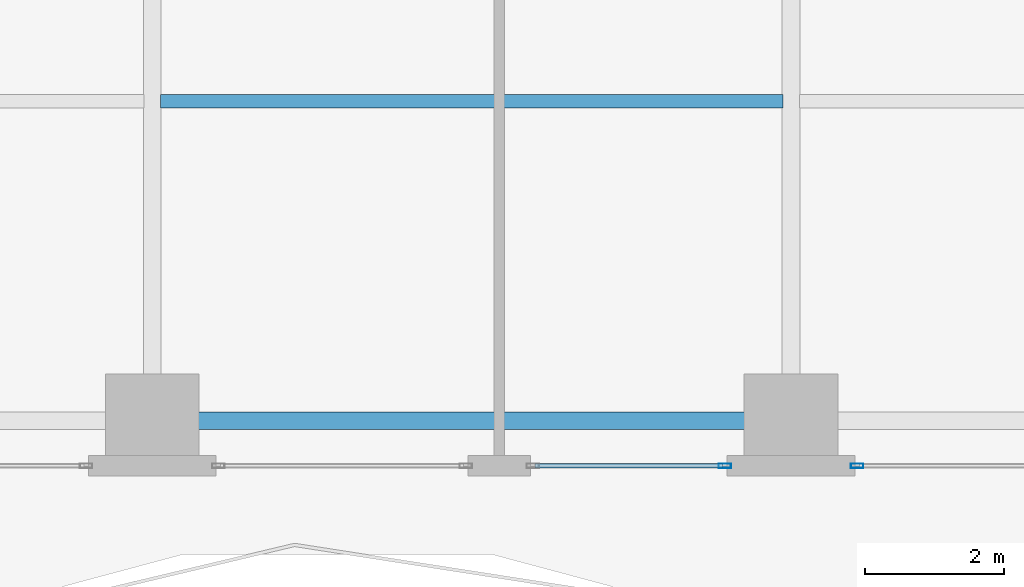
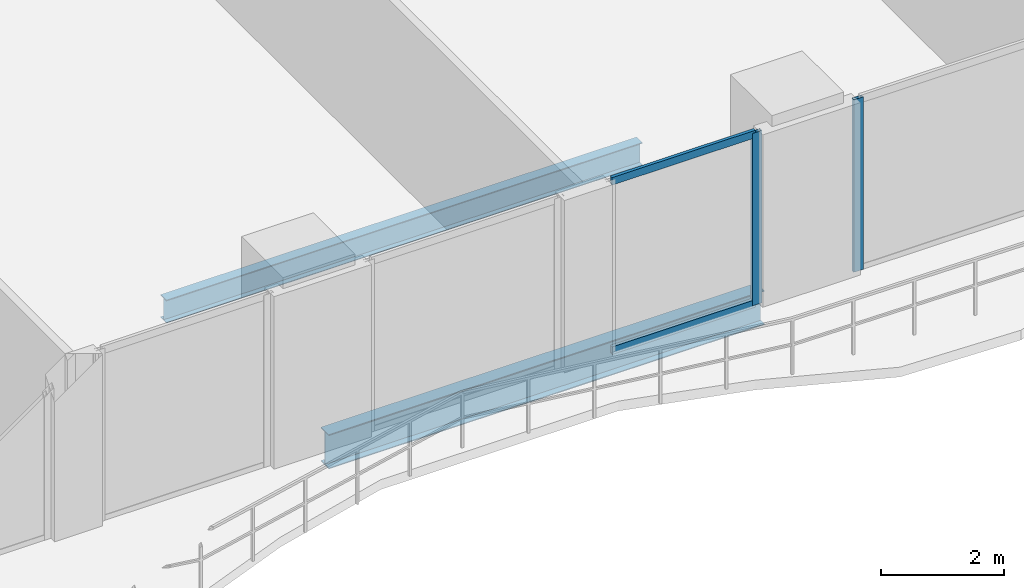
# One storey, part 5 of 27: 4 members, 2 beams, 2 elements without a shape of their own.
"""IFC4 building model written with IfcOpenShell, lengths in metres."""

from ifc_helpers import new_model, si_unit, direction, frame, origin, origin_2d, place, context, subcontext, project, spatial, hollow_rectangle, i_section, extrude, material, layer, layer_set, material_profile, profile_set, type_object, element, aggregate, save


model = new_model("IFC4")

# Units and contexts
model_context = context("Model", 3, precision=1e-05, world=origin(), true_north=direction((0.0, 1.0)))
body_context = subcontext(model_context, "Body", "Model", "MODEL_VIEW")
ifc_project = project(units=[si_unit("LENGTHUNIT", "METRE"), si_unit("AREAUNIT", "SQUARE_METRE"), si_unit("VOLUMEUNIT", "CUBIC_METRE"), si_unit("PLANEANGLEUNIT", "RADIAN"), si_unit("MASSUNIT", "GRAM", prefix="KILO")], contexts=[model_context])

# Site, building, storey
site_placement = place(None, origin())
site = spatial("IfcSite", under=ifc_project, at=site_placement, CompositionType="ELEMENT")
building_placement = place(site_placement, origin())
building = spatial("IfcBuilding", under=site, at=building_placement, Name="Zuhayl Quay Hotel", CompositionType="ELEMENT")
storey_placement = place(building_placement, frame((0.0, 0.0, 117.550048828125)))
storey = spatial("IfcBuildingStorey", under=building, at=storey_placement, Name="L29", CompositionType="ELEMENT", Elevation=117.550048828125)

# Beams
ifc_material_1 = material(Name="Steel ASTM A992 Grade 50", Category="steel")
ifc_material_profile_1 = material_profile(ifc_material_1, i_section(OverallWidth=0.25390625, OverallDepth=0.68310546875, WebThickness=0.012451171875, FlangeThickness=0.018798828125, at=origin_2d()), Name="W27X94")
ifc_profile_set_1 = profile_set([ifc_material_profile_1], Name="Steel ASTM A992 Grade 50")
beam_type_1 = type_object("IfcBeamType", Name="BM_B2_W27X94", PredefinedType="BEAM", material=ifc_profile_set_1)
beam_1_placement = place(storey_placement, frame((-4.10009765625, -14.75, -0.5615234375), z_axis=(1.0, 0.0, 0.0), x_axis=(0.0, 1.0, 0.0)))
element("IfcBeam", 1, at=beam_1_placement, inside=storey, type_object=beam_type_1, Name="L29 Floor Beam RG_L29_02", PredefinedType="BEAM", context=body_context, shape_type="SweptSolid", body=[
    extrude(i_section(OverallWidth=0.25390625, OverallDepth=0.68310546875, WebThickness=0.012451171875, FlangeThickness=0.018798828125, at=origin_2d()), origin(), (0.0, 0.0, 1.0), 8.2001953125),
])
ifc_material_profile_2 = material_profile(ifc_material_1, i_section(OverallWidth=0.18994140625, OverallDepth=0.45703125, WebThickness=0.009033203125, FlangeThickness=0.014404296875, at=origin_2d()), Name="W18X50")
ifc_profile_set_2 = profile_set([ifc_material_profile_2], Name="Steel ASTM A992 Grade 50")
beam_type_2 = type_object("IfcBeamType", Name="BM_J2_W18X50", PredefinedType="JOIST", material=ifc_profile_set_2)
beam_2_placement = place(storey_placement, frame((-4.48095703125, -10.14990234375, -0.448486328125), z_axis=(1.0, 0.0, 0.0), x_axis=(0.0, 1.0, 0.0)))
element("IfcBeam", 2, at=beam_2_placement, inside=storey, type_object=beam_type_2, Name="L29 Floor Beam FJ_L29_5_2", PredefinedType="JOIST", context=body_context, shape_type="SweptSolid", body=[
    extrude(i_section(OverallWidth=0.18994140625, OverallDepth=0.45703125, WebThickness=0.009033203125, FlangeThickness=0.014404296875, at=origin_2d()), origin(), (0.0, 0.0, 1.0), 8.9619140625),
])

# Curtain wall, member
ifc_material_2 = material(Name="Anodised Aluminium 6063-T6", Category="aluminium")
ifc_layer = layer(ifc_material_2, 0.179931640625, Name="Anodised Aluminium 6063-T6", Category="aluminium")
ifc_layer_set = layer_set([ifc_layer], Name="Anodised Aluminium 6063-T6")
curtain_wall_type = type_object("IfcCurtainWallType", Name="CW_SYS_Z2", PredefinedType="USERDEFINED", material=ifc_layer_set)
curtain_wall_1_placement = place(storey_placement, origin())
curtain_wall_1 = element("IfcCurtainWall", 3, at=curtain_wall_1_placement, inside=storey, type_object=curtain_wall_type, Name="L29 Curtain Wall ENV_L29_S_CW3", ObjectType="UNITISED CURTAIN WALL", PredefinedType="USERDEFINED")
ifc_material_3 = material(Name="Black-anodised aluminium 6063-T6", Category="aluminium")
ifc_material_profile_3 = material_profile(ifc_material_3, hollow_rectangle(XDim=0.06494140625, YDim=0.179931640625, WallThickness=0.00341796875, at=origin_2d()), Name="ALU180X65")
ifc_profile_set_3 = profile_set([ifc_material_profile_3], Name="Black-anodised aluminium 6063-T6")
member_type_1 = type_object("IfcMemberType", Name="MB_CW_MUL_180", PredefinedType="MULLION", material=ifc_profile_set_3)
member_1_placement = place(storey_placement, frame((5.552490234375, -15.39990234375, 0.0), z_axis=(0.0, 0.0, 1.0), x_axis=(0.0, -1.0, 0.0)))
member_1 = element("IfcMember", 4, at=member_1_placement, type_object=member_type_1, Name="CW-Z2 mullion 2", PredefinedType="MULLION", context=body_context, shape_type="SweptSolid", body=[
    extrude(hollow_rectangle(XDim=0.06494140625, YDim=0.179931640625, WallThickness=0.00341796875, at=origin_2d()), origin(), (0.0, 0.0, 1.0), 3.429931640625),
])
aggregate(curtain_wall_1, [member_1])

# Curtain wall, members
curtain_wall_2_placement = place(storey_placement, origin())
curtain_wall_2 = element("IfcCurtainWall", 5, at=curtain_wall_2_placement, inside=storey, type_object=curtain_wall_type, Name="L29 Curtain Wall ENV_L29_S_CW4", ObjectType="UNITISED CURTAIN WALL", PredefinedType="USERDEFINED")
member_2_placement = place(storey_placement, frame((3.6474609375, -15.39990234375, 0.0), z_axis=(0.0, 0.0, 1.0), x_axis=(0.0, -1.0, 0.0)))
member_2 = element("IfcMember", 6, at=member_2_placement, type_object=member_type_1, Name="CW-Z2 mullion 1", PredefinedType="MULLION", context=body_context, shape_type="SweptSolid", body=[
    extrude(hollow_rectangle(XDim=0.06494140625, YDim=0.179931640625, WallThickness=0.00341796875, at=origin_2d()), origin(), (0.0, 0.0, 1.0), 3.429931640625),
])
ifc_material_profile_4 = material_profile(ifc_material_3, hollow_rectangle(XDim=0.06005859375, YDim=0.14990234375, WallThickness=0.00341796875, at=origin_2d()), Name="ALU150X60")
ifc_profile_set_4 = profile_set([ifc_material_profile_4], Name="Black-anodised aluminium 6063-T6")
member_type_2 = type_object("IfcMemberType", Name="MB_CW_TRN_150", PredefinedType="USERDEFINED", material=ifc_profile_set_4)
member_3_placement = place(storey_placement, frame((3.614990234375, -15.39990234375, 0.030029296875), z_axis=(-1.0, 0.0, 0.0), x_axis=(0.0, -1.0, 0.0)))
member_3 = element("IfcMember", 7, at=member_3_placement, type_object=member_type_2, Name="CW-Z2 transom 1.1", ObjectType="TRANSOM", PredefinedType="USERDEFINED", context=body_context, shape_type="SweptSolid", body=[
    extrude(hollow_rectangle(XDim=0.06005859375, YDim=0.14990234375, WallThickness=0.00341796875, at=origin_2d()), origin(), (0.0, 0.0, 1.0), 2.699951171875),
])
member_4_placement = place(storey_placement, frame((3.614990234375, -15.39990234375, 3.39990234375), z_axis=(-1.0, 0.0, 0.0), x_axis=(0.0, -1.0, 0.0)))
member_4 = element("IfcMember", 8, at=member_4_placement, type_object=member_type_2, Name="CW-Z2 transom 1.2", ObjectType="TRANSOM", PredefinedType="USERDEFINED", context=body_context, shape_type="SweptSolid", body=[
    extrude(hollow_rectangle(XDim=0.06005859375, YDim=0.14990234375, WallThickness=0.00341796875, at=origin_2d()), origin(), (0.0, 0.0, 1.0), 2.699951171875),
])
aggregate(curtain_wall_2, [member_2, member_3, member_4])

save(model, "model.ifc")
